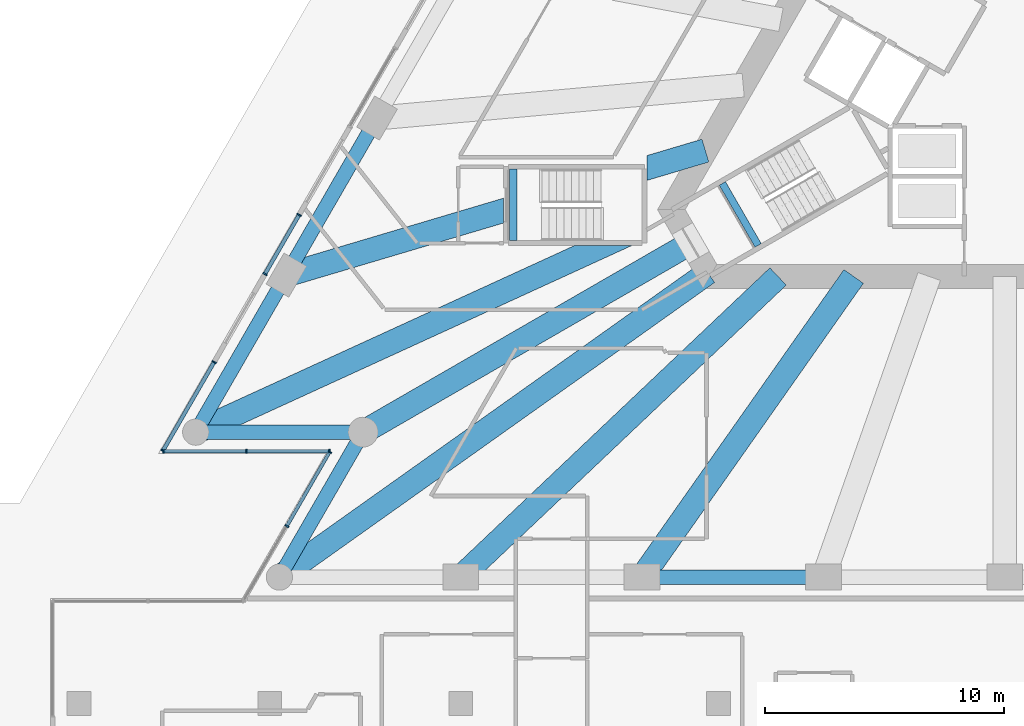
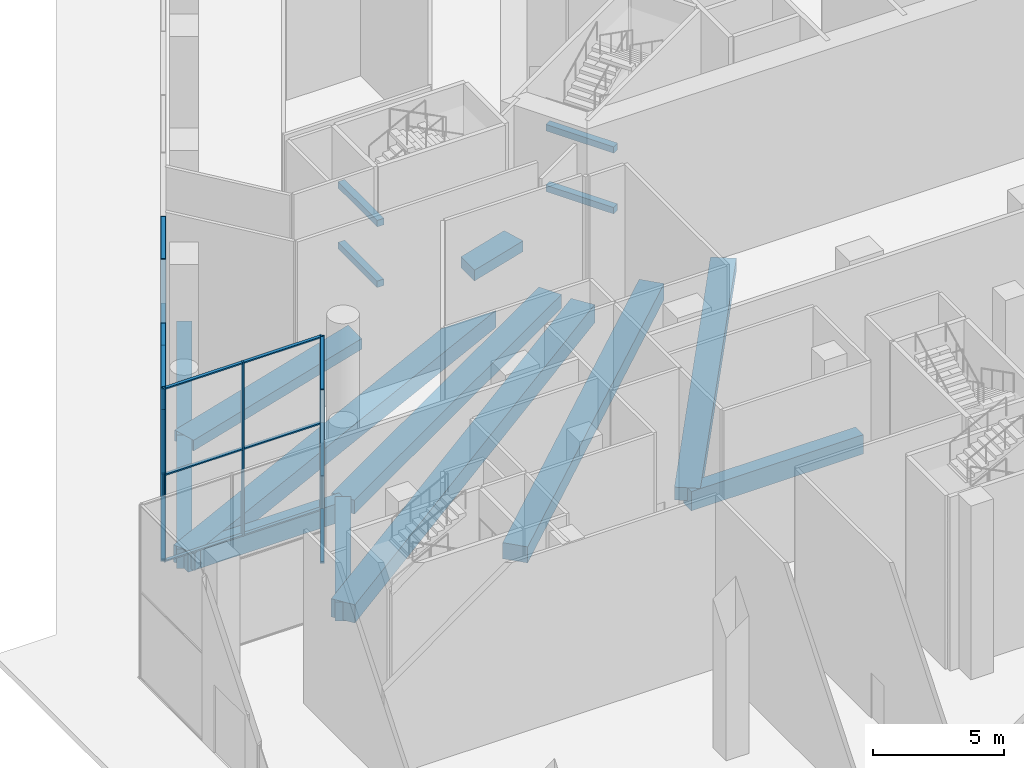
# One storey, part 6 of 41: 24 members, 16 beams, 4 elements without a shape of their own.
"""IFC4 building model written with IfcOpenShell, lengths in metres."""

from ifc_helpers import new_model, si_unit, direction, frame, origin, origin_2d, place, context, subcontext, project, spatial, rectangle, extrude, clip, halfspace, material, layer, layer_set, material_profile, profile_set, type_object, element, aggregate, save


model = new_model("IFC4")

# Units and contexts
model_context = context("Model", 3, precision=1e-05, world=origin(), true_north=direction((0.0, 1.0)))
body_context = subcontext(model_context, "Body", "Model", "MODEL_VIEW")
ifc_project = project(units=[si_unit("LENGTHUNIT", "METRE"), si_unit("AREAUNIT", "SQUARE_METRE"), si_unit("VOLUMEUNIT", "CUBIC_METRE"), si_unit("PLANEANGLEUNIT", "RADIAN"), si_unit("MASSUNIT", "GRAM", prefix="KILO")], contexts=[model_context])

# Site, building, storey
site_placement = place(None, origin())
site = spatial("IfcSite", under=ifc_project, at=site_placement, CompositionType="ELEMENT")
building_placement = place(site_placement, origin())
building = spatial("IfcBuilding", under=site, at=building_placement, Name="Triada Interchange Tower", CompositionType="ELEMENT")
storey_placement = place(building_placement, origin())
storey = spatial("IfcBuildingStorey", under=building, at=storey_placement, Name="L00", CompositionType="ELEMENT", Elevation=0.0)

# Beams
ifc_material_1 = material(Name="Concrete C35/45", Category="concrete")
ifc_material_profile_1 = material_profile(ifc_material_1, rectangle(XDim=0.300048828125, YDim=0.300048828125, at=origin_2d()), Name="RC 300x300")
ifc_profile_set_1 = profile_set([ifc_material_profile_1], Name="Concrete C35/45")
beam_type_1 = type_object("IfcBeamType", Name="Landing support beam RC 300x300", PredefinedType="BEAM", material=ifc_profile_set_1)
for number, where, z_axis, x_axis, name in (
    (1, (-11.8349609375, -5.10107421875, 2.4833984375), (0.50002537861, -0.866010750942, 0.0), (0.866010750942, 0.50002537861, 0.0), "Landing support beam S00-2 1"),
    (2, (-11.8349609375, -5.10107421875, 5.31689453125), (0.50002537861, -0.866010750942, 0.0), (0.866010750942, 0.50002537861, 0.0), "Landing support beam S00-2 2"),
):
    element("IfcBeam", number, at=place(storey_placement, frame(where, z_axis=z_axis, x_axis=x_axis)), inside=storey, type_object=beam_type_1, Name=name, PredefinedType="BEAM", context=body_context, shape_type="SweptSolid", body=[
        extrude(rectangle(XDim=0.300048828125, YDim=0.300048828125, at=origin_2d()), origin(), (0.0, 0.0, 1.0), 2.999755859375),
    ])
for number, where, z_axis, x_axis, name in (
    (3, (-20.60009765625, -4.5, 2.4833984375), (0.0, -1.0, 0.0), (1.0, 0.0, 0.0), "Landing support beam S00-6 1"),
    (4, (-20.60009765625, -4.5, 5.31689453125), (0.0, -1.0, 0.0), (1.0, 0.0, 0.0), "Landing support beam S00-6 2"),
):
    element("IfcBeam", number, at=place(storey_placement, frame(where, z_axis=z_axis, x_axis=x_axis)), inside=storey, type_object=beam_type_1, Name=name, PredefinedType="BEAM", context=body_context, shape_type="SweptSolid", body=[
        extrude(rectangle(XDim=0.300048828125, YDim=0.300048828125, at=origin_2d()), origin(), (0.0, 0.0, 1.0), 3.0),
    ])

# Curtain wall, members
ifc_material_2 = material(Name="Aluminium framed glazing", Category="aluminium")
ifc_layer_1 = layer(ifc_material_2, 0.199951171875)
ifc_layer_set_1 = layer_set([ifc_layer_1], Name="Curtain wall Concourse glazed screen")
curtain_wall_type_1 = type_object("IfcCurtainWallType", Name="Curtain wall Concourse glazed screen", PredefinedType="NOTDEFINED", material=ifc_layer_set_1)
curtain_wall_1_placement = place(storey_placement, origin())
curtain_wall_1 = element("IfcCurtainWall", 5, at=curtain_wall_1_placement, inside=storey, type_object=curtain_wall_type_1, Name="Concourse glazed screen CW037 L00", PredefinedType="NOTDEFINED")
ifc_material_3 = material(Name="Aluminium", Category="aluminium")
ifc_material_profile_2 = material_profile(ifc_material_3, rectangle(XDim=0.199951171875, YDim=0.06005859375, at=origin_2d()), Name="Aluminium mullion")
ifc_profile_set_2 = profile_set([ifc_material_profile_2], Name="Aluminium")
member_type_1 = type_object("IfcMemberType", Name="Mullion Concourse glazed screen 200x60", PredefinedType="MULLION", material=ifc_profile_set_2)
member_1_placement = place(storey_placement, frame((-29.572998046875, -6.4208984375, 0.0), z_axis=(0.0, 0.0, 1.0), x_axis=(0.866043023829, -0.499969479946, 0.0)))
member_1 = element("IfcMember", 6, at=member_1_placement, type_object=member_type_1, Name="CW037 mullion 1", PredefinedType="MULLION", context=body_context, shape_type="SweptSolid", body=[
    extrude(rectangle(XDim=0.199951171875, YDim=0.06005859375, at=origin_2d()), origin(), (0.0, 0.0, 1.0), 8.10009765625),
])
member_2_placement = place(storey_placement, frame((-31.0029296875, -8.89794921875, 0.0), z_axis=(0.0, 0.0, 1.0), x_axis=(0.866043023829, -0.499969479946, 0.0)))
member_2 = element("IfcMember", 7, at=member_2_placement, type_object=member_type_1, Name="CW037 mullion 2", PredefinedType="MULLION", context=body_context, shape_type="SweptSolid", body=[
    extrude(rectangle(XDim=0.199951171875, YDim=0.06005859375, at=origin_2d()), origin(), (0.0, 0.0, 1.0), 8.10009765625),
])

curtain_wall_2_placement = place(storey_placement, origin())
curtain_wall_2 = element("IfcCurtainWall", 8, at=curtain_wall_2_placement, inside=storey, type_object=curtain_wall_type_1, Name="Concourse glazed screen CW038 L00", PredefinedType="NOTDEFINED")
member_3_placement = place(storey_placement, frame((-33.133056640625, -12.587890625, 0.0), z_axis=(0.0, 0.0, 1.0), x_axis=(0.86598245789, -0.500074377095, 0.0)))
member_3 = element("IfcMember", 9, at=member_3_placement, type_object=member_type_1, Name="CW038 mullion 1", PredefinedType="MULLION", context=body_context, shape_type="SweptSolid", body=[
    extrude(rectangle(XDim=0.199951171875, YDim=0.06005859375, at=origin_2d()), origin(), (0.0, 0.0, 1.0), 8.10009765625),
])
member_4_placement = place(storey_placement, frame((-35.27587890625, -16.299072265625, 0.0), z_axis=(0.0, 0.0, 1.0), x_axis=(0.86598245789, -0.500074377095, 0.0)))
member_4 = element("IfcMember", 10, at=member_4_placement, type_object=member_type_1, Name="CW038 mullion 2", PredefinedType="MULLION", context=body_context, shape_type="SweptSolid", body=[
    extrude(rectangle(XDim=0.199951171875, YDim=0.06005859375, at=origin_2d()), origin(), (0.0, 0.0, 1.0), 8.10009765625),
])

ifc_layer_2 = layer(ifc_material_2, 0.199951171875)
ifc_layer_set_2 = layer_set([ifc_layer_2], Name="Curtain wall Tower lobby glazing")
curtain_wall_type_2 = type_object("IfcCurtainWallType", Name="Curtain wall Tower lobby glazing", PredefinedType="NOTDEFINED", material=ifc_layer_set_2)
curtain_wall_3_placement = place(storey_placement, origin())
curtain_wall_3 = element("IfcCurtainWall", 11, at=curtain_wall_3_placement, inside=storey, type_object=curtain_wall_type_2, Name="Tower lobby glazing CW039 L00", PredefinedType="NOTDEFINED")
ifc_material_profile_3 = material_profile(ifc_material_3, rectangle(XDim=0.179931640625, YDim=0.06005859375, at=origin_2d()), Name="Aluminium mullion")
ifc_profile_set_3 = profile_set([ifc_material_profile_3], Name="Aluminium")
member_type_2 = type_object("IfcMemberType", Name="Mullion Tower lobby glazing 180x60", PredefinedType="MULLION", material=ifc_profile_set_3)
member_5_placement = place(storey_placement, frame((-35.260986328125, -16.324951171875, 0.0), z_axis=(0.0, 0.0, 1.0), x_axis=(0.0, 1.0, 0.0)))
member_5 = element("IfcMember", 12, at=member_5_placement, type_object=member_type_2, Name="CW039 mullion 1", PredefinedType="MULLION", context=body_context, shape_type="SweptSolid", body=[
    extrude(rectangle(XDim=0.179931640625, YDim=0.06005859375, at=origin_2d()), origin(), (0.0, 0.0, 1.0), 8.10009765625),
])
member_6_placement = place(storey_placement, frame((-31.783447265625, -16.324951171875, 0.0), z_axis=(0.0, 0.0, 1.0), x_axis=(0.0, 1.0, 0.0)))
member_6 = element("IfcMember", 13, at=member_6_placement, type_object=member_type_2, Name="CW039 mullion 2", PredefinedType="MULLION", context=body_context, shape_type="SweptSolid", body=[
    extrude(rectangle(XDim=0.179931640625, YDim=0.06005859375, at=origin_2d()), origin(), (0.0, 0.0, 1.0), 8.10009765625),
])
member_7_placement = place(storey_placement, frame((-28.305908203125, -16.324951171875, 0.0), z_axis=(0.0, 0.0, 1.0), x_axis=(0.0, 1.0, 0.0)))
member_7 = element("IfcMember", 14, at=member_7_placement, type_object=member_type_2, Name="CW039 mullion 3", PredefinedType="MULLION", context=body_context, shape_type="SweptSolid", body=[
    extrude(rectangle(XDim=0.179931640625, YDim=0.06005859375, at=origin_2d()), origin(), (0.0, 0.0, 1.0), 8.10009765625),
])

curtain_wall_4_placement = place(storey_placement, origin())
curtain_wall_4 = element("IfcCurtainWall", 15, at=curtain_wall_4_placement, inside=storey, type_object=curtain_wall_type_2, Name="Tower lobby glazing CW040 L00", PredefinedType="NOTDEFINED")
member_8_placement = place(storey_placement, frame((-28.291015625, -16.35107421875, 0.0), z_axis=(0.0, 0.0, 1.0), x_axis=(0.866077569894, -0.499909634761, 0.0)))
member_8 = element("IfcMember", 16, at=member_8_placement, type_object=member_type_2, Name="CW040 mullion 1", PredefinedType="MULLION", context=body_context, shape_type="SweptSolid", body=[
    extrude(rectangle(XDim=0.179931640625, YDim=0.06005859375, at=origin_2d()), origin(), (0.0, 0.0, 1.0), 8.10009765625),
])
member_9_placement = place(storey_placement, frame((-30.0869140625, -19.46240234375, 0.0), z_axis=(0.0, 0.0, 1.0), x_axis=(0.866077569894, -0.499909634761, 0.0)))
member_9 = element("IfcMember", 17, at=member_9_placement, type_object=member_type_2, Name="CW040 mullion 2", PredefinedType="MULLION", context=body_context, shape_type="SweptSolid", body=[
    extrude(rectangle(XDim=0.179931640625, YDim=0.06005859375, at=origin_2d()), origin(), (0.0, 0.0, 1.0), 8.10009765625),
])

# Beams
ifc_material_4 = material(Name="Concrete C50/60", Category="concrete")
ifc_material_profile_4 = material_profile(ifc_material_4, rectangle(XDim=1.0, YDim=0.5, at=origin_2d()), Name="RC 1000x500")
ifc_profile_set_4 = profile_set([ifc_material_profile_4], Name="Concrete C50/60")
beam_type_2 = type_object("IfcBeamType", Name="Radial band beam P RC 1000x500", PredefinedType="BEAM", material=ifc_profile_set_4)
beam_1_placement = place(storey_placement, frame((-30.10498046875, -8.944091796875, -0.64990234375), z_axis=(0.958593857604, 0.284776783049, 0.0), x_axis=(-0.284776783049, 0.958593857604, 0.0)))
element("IfcBeam", 18, at=beam_1_placement, inside=storey, type_object=beam_type_2, Name="Radial band beam BP08A L00", PredefinedType="BEAM", context=body_context, shape_type="Clipping", body=[
    clip(extrude(rectangle(XDim=1.0, YDim=0.5, at=origin_2d()), origin(), (0.0, 0.0, 1.0), 10.998291015625), halfspace(frame((-1.400146484375, 0.64990234375, 9.082275390625), z_axis=(-0.284776783049, 0.0, 0.958593857604), x_axis=(0.0, 1.0, 0.0)), False)),
])
beam_2_placement = place(storey_placement, frame((-16.43798828125, -4.884033203125, -0.64990234375), z_axis=(0.95858381739, 0.284810577468, 0.0), x_axis=(-0.284810577468, 0.95858381739, 0.0)))
element("IfcBeam", 19, at=beam_2_placement, inside=storey, type_object=beam_type_2, Name="Radial band beam BP08B L00", PredefinedType="BEAM", context=body_context, shape_type="Clipping", body=[
    clip(extrude(rectangle(XDim=1.0, YDim=0.5, at=origin_2d()), origin(), (0.0, 0.0, 1.0), 4.062255859375), halfspace(frame((0.150146484375, 0.64990234375, 1.544677734375), z_axis=(0.284810577468, 0.0, -0.95858381739), x_axis=(0.0, -1.0, 0.0)), False)),
])
ifc_material_profile_5 = material_profile(ifc_material_4, rectangle(XDim=1.0, YDim=0.60009765625, at=origin_2d()), Name="RC 1000x600")
ifc_profile_set_5 = profile_set([ifc_material_profile_5], Name="Concrete C50/60")
beam_type_3 = type_object("IfcBeamType", Name="Radial band beam P RC 1000x600", PredefinedType="BEAM", material=ifc_profile_set_5)
beam_3_placement = place(storey_placement, frame((-15.197998046875, -21.60009765625, -0.699951171875), z_axis=(0.575460041142, 0.81782989738, 0.0), x_axis=(-0.81782989738, 0.575460041142, 0.0)))
element("IfcBeam", 20, at=beam_3_placement, inside=storey, type_object=beam_type_3, Name="Radial band beam BP13 L00", PredefinedType="BEAM", context=body_context, shape_type="SweptSolid", body=[
    extrude(rectangle(XDim=1.0, YDim=0.60009765625, at=origin_2d()), origin(), (0.0, 0.0, 1.0), 15.40673828125),
])
ifc_material_profile_6 = material_profile(ifc_material_4, rectangle(XDim=1.0, YDim=0.64990234375, at=origin_2d()), Name="RC 1000x650")
ifc_profile_set_6 = profile_set([ifc_material_profile_6], Name="Concrete C50/60")
beam_type_4 = type_object("IfcBeamType", Name="Radial band beam P RC 1000x650", PredefinedType="BEAM", material=ifc_profile_set_6)
beam_4_placement = place(storey_placement, frame((-26.889892578125, -15.52490234375, -0.72509765625), z_axis=(0.866020130944, 0.500009132716, 0.0), x_axis=(-0.500009132716, 0.866020130944, 0.0)))
element("IfcBeam", 21, at=beam_4_placement, inside=storey, type_object=beam_type_4, Name="Radial band beam BP10 L00", PredefinedType="BEAM", context=body_context, shape_type="SweptSolid", body=[
    extrude(rectangle(XDim=1.0, YDim=0.64990234375, at=origin_2d()), origin(), (0.0, 0.0, 1.0), 15.849365234375),
])
ifc_material_profile_7 = material_profile(ifc_material_4, rectangle(XDim=1.0, YDim=0.75, at=origin_2d()), Name="RC 1000x750")
ifc_profile_set_7 = profile_set([ifc_material_profile_7], Name="Concrete C50/60")
beam_type_5 = type_object("IfcBeamType", Name="Radial band beam P RC 1000x750", PredefinedType="BEAM", material=ifc_profile_set_7)
beam_5_placement = place(storey_placement, frame((-22.798095703125, -21.60009765625, -0.77490234375), z_axis=(0.725926069578, 0.687772739723, 0.0), x_axis=(-0.687772739723, 0.725926069578, 0.0)))
element("IfcBeam", 22, at=beam_5_placement, inside=storey, type_object=beam_type_5, Name="Radial band beam BP12 L00", PredefinedType="BEAM", context=body_context, shape_type="SweptSolid", body=[
    extrude(rectangle(XDim=1.0, YDim=0.75, at=origin_2d()), origin(), (0.0, 0.0, 1.0), 18.320068359375),
])
ifc_material_profile_8 = material_profile(ifc_material_4, rectangle(XDim=1.0, YDim=0.800048828125, at=origin_2d()), Name="RC 1000x800")
ifc_profile_set_8 = profile_set([ifc_material_profile_8], Name="Concrete C50/60")
beam_type_6 = type_object("IfcBeamType", Name="Radial band beam P RC 1000x800", PredefinedType="BEAM", material=ifc_profile_set_8)
beam_6_placement = place(storey_placement, frame((-33.905029296875, -15.52490234375, -0.800048828125), z_axis=(0.909200707798, 0.41635810661, 0.0), x_axis=(-0.41635810661, 0.909200707798, 0.0)))
element("IfcBeam", 23, at=beam_6_placement, inside=storey, type_object=beam_type_6, Name="Radial band beam BP09A L00", PredefinedType="BEAM", context=body_context, shape_type="Clipping", body=[
    clip(extrude(rectangle(XDim=1.0, YDim=0.800048828125, at=origin_2d()), origin(), (0.0, 0.0, 1.0), 20.294921875), halfspace(frame((-0.7568359375, 0.800048828125, 20.446533203125), z_axis=(0.909200707798, 0.0, 0.41635810661), x_axis=(0.0, -1.0, 0.0)), False)),
])
ifc_material_profile_9 = material_profile(ifc_material_4, rectangle(XDim=1.0, YDim=0.85009765625, at=origin_2d()), Name="RC 1000x850")
ifc_profile_set_9 = profile_set([ifc_material_profile_9], Name="Concrete C50/60")
beam_type_7 = type_object("IfcBeamType", Name="Radial band beam P RC 1000x850", PredefinedType="BEAM", material=ifc_profile_set_9)
beam_7_placement = place(storey_placement, frame((-30.39697265625, -21.60009765625, -0.824951171875), z_axis=(0.815163189691, 0.579231364977, 0.0), x_axis=(-0.579231364977, 0.815163189691, 0.0)))
element("IfcBeam", 24, at=beam_7_placement, inside=storey, type_object=beam_type_7, Name="Radial band beam BP11 L00", PredefinedType="BEAM", context=body_context, shape_type="SweptSolid", body=[
    extrude(rectangle(XDim=1.0, YDim=0.85009765625, at=origin_2d()), origin(), (0.0, 0.0, 1.0), 22.0224609375),
])
ifc_material_profile_10 = material_profile(ifc_material_4, rectangle(XDim=0.60009765625, YDim=0.89990234375, at=origin_2d()), Name="RC 600x900")
ifc_profile_set_10 = profile_set([ifc_material_profile_10], Name="Concrete C50/60")
beam_type_8 = type_object("IfcBeamType", Name="Spandrel beam P RC 600x900", PredefinedType="BEAM", material=ifc_profile_set_10)
beam_8_placement = place(storey_placement, frame((-26.305908203125, -2.362060546875, -0.85009765625), z_axis=(-0.499894869559, -0.866086092366, 0.0), x_axis=(0.866086092366, -0.499894869559, 0.0)))
element("IfcBeam", 25, at=beam_8_placement, inside=storey, type_object=beam_type_8, Name="Spandrel beam EP07 L00", PredefinedType="BEAM", context=body_context, shape_type="SweptSolid", body=[
    extrude(rectangle(XDim=0.60009765625, YDim=0.89990234375, at=origin_2d()), origin(), (0.0, 0.0, 1.0), 7.599853515625),
])
beam_9_placement = place(storey_placement, frame((-30.10498046875, -8.944091796875, -0.85009765625), z_axis=(-0.500060803479, -0.865990296034, 0.0), x_axis=(0.865990296034, -0.500060803479, 0.0)))
element("IfcBeam", 26, at=beam_9_placement, inside=storey, type_object=beam_type_8, Name="Spandrel beam EP08 L00", PredefinedType="BEAM", context=body_context, shape_type="SweptSolid", body=[
    extrude(rectangle(XDim=0.60009765625, YDim=0.89990234375, at=origin_2d()), origin(), (0.0, 0.0, 1.0), 7.59912109375),
])
beam_10_placement = place(storey_placement, frame((-33.905029296875, -15.52490234375, -0.85009765625), z_axis=(1.0, 0.0, 0.0), x_axis=(0.0, 1.0, 0.0)))
element("IfcBeam", 27, at=beam_10_placement, inside=storey, type_object=beam_type_8, Name="Spandrel beam EP09 L00", PredefinedType="BEAM", context=body_context, shape_type="SweptSolid", body=[
    extrude(rectangle(XDim=0.60009765625, YDim=0.89990234375, at=origin_2d()), origin(), (0.0, 0.0, 1.0), 7.01513671875),
])
beam_11_placement = place(storey_placement, frame((-26.889892578125, -15.52490234375, -0.85009765625), z_axis=(-0.499953429515, -0.866052289597, 0.0), x_axis=(0.866052289597, -0.499953429515, 0.0)))
element("IfcBeam", 28, at=beam_11_placement, inside=storey, type_object=beam_type_8, Name="Spandrel beam EP10 L00", PredefinedType="BEAM", context=body_context, shape_type="SweptSolid", body=[
    extrude(rectangle(XDim=0.60009765625, YDim=0.89990234375, at=origin_2d()), origin(), (0.0, 0.0, 1.0), 7.014892578125),
])
beam_12_placement = place(storey_placement, frame((-15.197998046875, -21.60009765625, -0.85009765625), z_axis=(1.0, 0.0, 0.0), x_axis=(0.0, 1.0, 0.0)))
element("IfcBeam", 29, at=beam_12_placement, inside=storey, type_object=beam_type_8, Name="Spandrel beam EP13 L00", PredefinedType="BEAM", context=body_context, shape_type="SweptSolid", body=[
    extrude(rectangle(XDim=0.60009765625, YDim=0.89990234375, at=origin_2d()), origin(), (0.0, 0.0, 1.0), 7.598876953125),
])

# Member
ifc_material_profile_11 = material_profile(ifc_material_3, rectangle(XDim=0.159912109375, YDim=0.06005859375, at=origin_2d()), Name="Aluminium transom")
ifc_profile_set_11 = profile_set([ifc_material_profile_11], Name="Aluminium")
member_type_3 = type_object("IfcMemberType", Name="Transom Concourse glazed screen 160x60", PredefinedType="USERDEFINED", material=ifc_profile_set_11)
member_10_placement = place(storey_placement, frame((-29.587890625, -6.447021484375, 0.030029296875), z_axis=(-0.500011755427, -0.866018616679, 0.0), x_axis=(0.866018616679, -0.500011755427, 0.0)))
member_10 = element("IfcMember", 30, at=member_10_placement, type_object=member_type_3, Name="CW037 transom 1.1", ObjectType="TRANSOM", PredefinedType="USERDEFINED", context=body_context, shape_type="SweptSolid", body=[
    extrude(rectangle(XDim=0.159912109375, YDim=0.06005859375, at=origin_2d()), origin(), (0.0, 0.0, 1.0), 2.80029296875),
])

member_11_placement = place(storey_placement, frame((-29.587890625, -6.447021484375, 4.050048828125), z_axis=(-0.500011755427, -0.866018616679, 0.0), x_axis=(0.866018616679, -0.500011755427, 0.0)))
member_11 = element("IfcMember", 31, at=member_11_placement, type_object=member_type_3, Name="CW037 transom 1.2", ObjectType="TRANSOM", PredefinedType="USERDEFINED", context=body_context, shape_type="SweptSolid", body=[
    extrude(rectangle(XDim=0.159912109375, YDim=0.06005859375, at=origin_2d()), origin(), (0.0, 0.0, 1.0), 2.80029296875),
])

member_12_placement = place(storey_placement, frame((-29.587890625, -6.447021484375, 8.070068359375), z_axis=(-0.500011755427, -0.866018616679, 0.0), x_axis=(0.866018616679, -0.500011755427, 0.0)))
member_12 = element("IfcMember", 32, at=member_12_placement, type_object=member_type_3, Name="CW037 transom 1.3", ObjectType="TRANSOM", PredefinedType="USERDEFINED", context=body_context, shape_type="SweptSolid", body=[
    extrude(rectangle(XDim=0.159912109375, YDim=0.06005859375, at=origin_2d()), origin(), (0.0, 0.0, 1.0), 2.80029296875),
])

aggregate(curtain_wall_1, [member_1, member_2, member_10, member_11, member_12])

member_13_placement = place(storey_placement, frame((-33.14794921875, -12.614013671875, 0.030029296875), z_axis=(-0.500097568534, -0.865969065236, 0.0), x_axis=(0.865969065236, -0.500097568534, 0.0)))
member_13 = element("IfcMember", 33, at=member_13_placement, type_object=member_type_3, Name="CW038 transom 1.1", ObjectType="TRANSOM", PredefinedType="USERDEFINED", context=body_context, shape_type="SweptSolid", body=[
    extrude(rectangle(XDim=0.159912109375, YDim=0.06005859375, at=origin_2d()), origin(), (0.0, 0.0, 1.0), 4.225341796875),
])

member_14_placement = place(storey_placement, frame((-33.14794921875, -12.614013671875, 4.050048828125), z_axis=(-0.500097568534, -0.865969065236, 0.0), x_axis=(0.865969065236, -0.500097568534, 0.0)))
member_14 = element("IfcMember", 34, at=member_14_placement, type_object=member_type_3, Name="CW038 transom 1.2", ObjectType="TRANSOM", PredefinedType="USERDEFINED", context=body_context, shape_type="SweptSolid", body=[
    extrude(rectangle(XDim=0.159912109375, YDim=0.06005859375, at=origin_2d()), origin(), (0.0, 0.0, 1.0), 4.225341796875),
])

member_15_placement = place(storey_placement, frame((-33.14794921875, -12.614013671875, 8.070068359375), z_axis=(-0.500097568534, -0.865969065236, 0.0), x_axis=(0.865969065236, -0.500097568534, 0.0)))
member_15 = element("IfcMember", 35, at=member_15_placement, type_object=member_type_3, Name="CW038 transom 1.3", ObjectType="TRANSOM", PredefinedType="USERDEFINED", context=body_context, shape_type="SweptSolid", body=[
    extrude(rectangle(XDim=0.159912109375, YDim=0.06005859375, at=origin_2d()), origin(), (0.0, 0.0, 1.0), 4.225341796875),
])

aggregate(curtain_wall_2, [member_3, member_4, member_13, member_14, member_15])

ifc_material_profile_12 = material_profile(ifc_material_3, rectangle(XDim=0.139892578125, YDim=0.06005859375, at=origin_2d()), Name="Aluminium transom")
ifc_profile_set_12 = profile_set([ifc_material_profile_12], Name="Aluminium")
member_type_4 = type_object("IfcMemberType", Name="Transom Tower lobby glazing 140x60", PredefinedType="USERDEFINED", material=ifc_profile_set_12)
member_16_placement = place(storey_placement, frame((-35.23095703125, -16.324951171875, 0.030029296875), z_axis=(1.0, 0.0, 0.0), x_axis=(0.0, 1.0, 0.0)))
member_16 = element("IfcMember", 36, at=member_16_placement, type_object=member_type_4, Name="CW039 transom 1.1", ObjectType="TRANSOM", PredefinedType="USERDEFINED", context=body_context, shape_type="SweptSolid", body=[
    extrude(rectangle(XDim=0.139892578125, YDim=0.06005859375, at=origin_2d()), origin(), (0.0, 0.0, 1.0), 3.41748046875),
])

member_17_placement = place(storey_placement, frame((-35.23095703125, -16.324951171875, 4.050048828125), z_axis=(1.0, 0.0, 0.0), x_axis=(0.0, 1.0, 0.0)))
member_17 = element("IfcMember", 37, at=member_17_placement, type_object=member_type_4, Name="CW039 transom 1.2", ObjectType="TRANSOM", PredefinedType="USERDEFINED", context=body_context, shape_type="SweptSolid", body=[
    extrude(rectangle(XDim=0.139892578125, YDim=0.06005859375, at=origin_2d()), origin(), (0.0, 0.0, 1.0), 3.41748046875),
])

member_18_placement = place(storey_placement, frame((-35.23095703125, -16.324951171875, 8.070068359375), z_axis=(1.0, 0.0, 0.0), x_axis=(0.0, 1.0, 0.0)))
member_18 = element("IfcMember", 38, at=member_18_placement, type_object=member_type_4, Name="CW039 transom 1.3", ObjectType="TRANSOM", PredefinedType="USERDEFINED", context=body_context, shape_type="SweptSolid", body=[
    extrude(rectangle(XDim=0.139892578125, YDim=0.06005859375, at=origin_2d()), origin(), (0.0, 0.0, 1.0), 3.41748046875),
])

member_19_placement = place(storey_placement, frame((-31.75341796875, -16.324951171875, 0.030029296875), z_axis=(1.0, 0.0, 0.0), x_axis=(0.0, 1.0, 0.0)))
member_19 = element("IfcMember", 39, at=member_19_placement, type_object=member_type_4, Name="CW039 transom 2.1", ObjectType="TRANSOM", PredefinedType="USERDEFINED", context=body_context, shape_type="SweptSolid", body=[
    extrude(rectangle(XDim=0.139892578125, YDim=0.06005859375, at=origin_2d()), origin(), (0.0, 0.0, 1.0), 3.41748046875),
])

member_20_placement = place(storey_placement, frame((-31.75341796875, -16.324951171875, 4.050048828125), z_axis=(1.0, 0.0, 0.0), x_axis=(0.0, 1.0, 0.0)))
member_20 = element("IfcMember", 40, at=member_20_placement, type_object=member_type_4, Name="CW039 transom 2.2", ObjectType="TRANSOM", PredefinedType="USERDEFINED", context=body_context, shape_type="SweptSolid", body=[
    extrude(rectangle(XDim=0.139892578125, YDim=0.06005859375, at=origin_2d()), origin(), (0.0, 0.0, 1.0), 3.41748046875),
])

member_21_placement = place(storey_placement, frame((-31.75341796875, -16.324951171875, 8.070068359375), z_axis=(1.0, 0.0, 0.0), x_axis=(0.0, 1.0, 0.0)))
member_21 = element("IfcMember", 41, at=member_21_placement, type_object=member_type_4, Name="CW039 transom 2.3", ObjectType="TRANSOM", PredefinedType="USERDEFINED", context=body_context, shape_type="SweptSolid", body=[
    extrude(rectangle(XDim=0.139892578125, YDim=0.06005859375, at=origin_2d()), origin(), (0.0, 0.0, 1.0), 3.41748046875),
])

aggregate(curtain_wall_3, [member_5, member_6, member_7, member_16, member_17, member_18, member_19, member_20, member_21])

member_22_placement = place(storey_placement, frame((-28.305908203125, -16.376953125, 0.030029296875), z_axis=(-0.499929840932, -0.866065906352, 0.0), x_axis=(0.866065906352, -0.499929840932, 0.0)))
member_22 = element("IfcMember", 42, at=member_22_placement, type_object=member_type_4, Name="CW040 transom 1.1", ObjectType="TRANSOM", PredefinedType="USERDEFINED", context=body_context, shape_type="SweptSolid", body=[
    extrude(rectangle(XDim=0.139892578125, YDim=0.06005859375, at=origin_2d()), origin(), (0.0, 0.0, 1.0), 3.53271484375),
])

member_23_placement = place(storey_placement, frame((-28.305908203125, -16.376953125, 4.050048828125), z_axis=(-0.499929840932, -0.866065906352, 0.0), x_axis=(0.866065906352, -0.499929840932, 0.0)))
member_23 = element("IfcMember", 43, at=member_23_placement, type_object=member_type_4, Name="CW040 transom 1.2", ObjectType="TRANSOM", PredefinedType="USERDEFINED", context=body_context, shape_type="SweptSolid", body=[
    extrude(rectangle(XDim=0.139892578125, YDim=0.06005859375, at=origin_2d()), origin(), (0.0, 0.0, 1.0), 3.53271484375),
])

member_24_placement = place(storey_placement, frame((-28.305908203125, -16.376953125, 8.070068359375), z_axis=(-0.499929840932, -0.866065906352, 0.0), x_axis=(0.866065906352, -0.499929840932, 0.0)))
member_24 = element("IfcMember", 44, at=member_24_placement, type_object=member_type_4, Name="CW040 transom 1.3", ObjectType="TRANSOM", PredefinedType="USERDEFINED", context=body_context, shape_type="SweptSolid", body=[
    extrude(rectangle(XDim=0.139892578125, YDim=0.06005859375, at=origin_2d()), origin(), (0.0, 0.0, 1.0), 3.53271484375),
])

aggregate(curtain_wall_4, [member_8, member_9, member_22, member_23, member_24])

save(model, "model.ifc")
